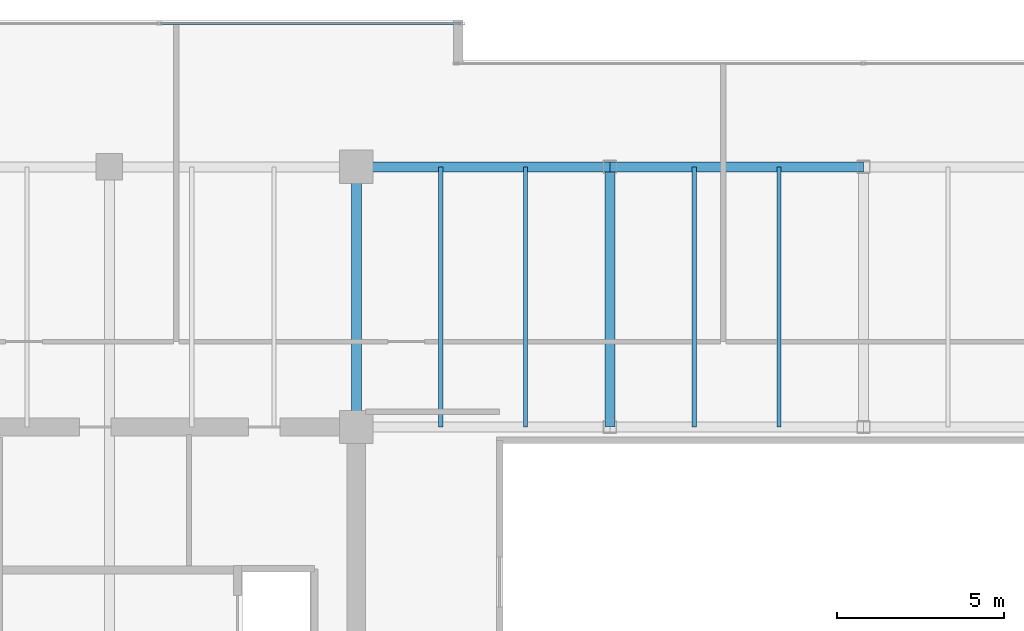
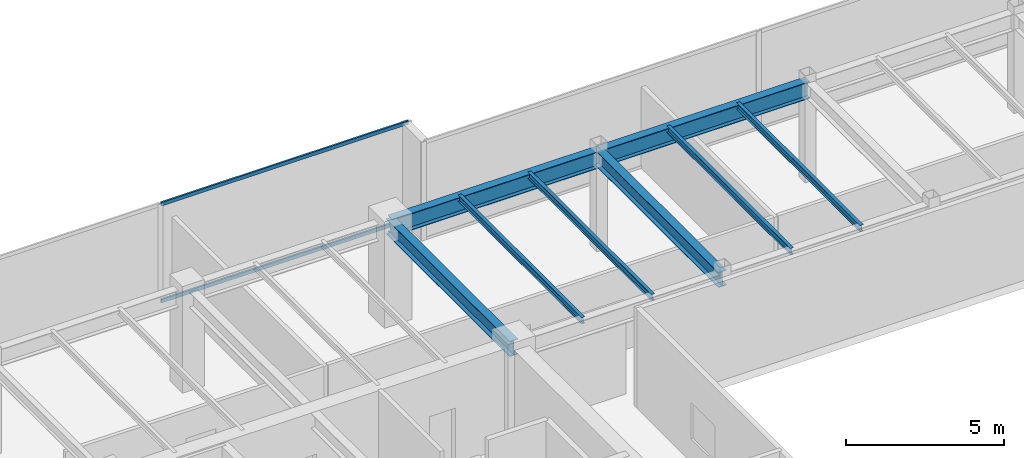
# One storey, part 16 of 33: 8 beams, 2 members, 1 element without a shape of its own.
"""IFC4 building model written with IfcOpenShell, lengths in metres."""

from ifc_helpers import new_model, si_unit, direction, frame, origin, origin_2d, place, context, subcontext, project, spatial, hollow_rectangle, i_section, extrude, source, transform, mapped, material, layer, layer_set, material_profile, profile_set, type_object, type_shapes, element, aggregate, save


model = new_model("IFC4")

# Units and contexts
model_context = context("Model", 3, precision=1e-05, world=origin(), true_north=direction((0.0, 1.0)))
body_context = subcontext(model_context, "Body", "Model", "MODEL_VIEW")
ifc_project = project(units=[si_unit("LENGTHUNIT", "METRE"), si_unit("AREAUNIT", "SQUARE_METRE"), si_unit("VOLUMEUNIT", "CUBIC_METRE"), si_unit("PLANEANGLEUNIT", "RADIAN"), si_unit("MASSUNIT", "GRAM", prefix="KILO")], contexts=[model_context])

# Site, building, storey
site_placement = place(None, origin())
site = spatial("IfcSite", under=ifc_project, at=site_placement, CompositionType="ELEMENT")
building_placement = place(site_placement, origin())
building = spatial("IfcBuilding", under=site, at=building_placement, Name="Haelvirn Gate Laboratories", CompositionType="ELEMENT")
storey_placement = place(building_placement, frame((0.0, 0.0, 250.60009765625)))
storey = spatial("IfcBuildingStorey", under=building, at=storey_placement, Name="L60", CompositionType="ELEMENT", Elevation=250.60009765625)

# Beams
ifc_material_1 = material(Name="Steel SM355", Category="steel")
ifc_material_profile_1 = material_profile(ifc_material_1, i_section(OverallWidth=0.300048828125, OverallDepth=0.587890625, WebThickness=0.011962890625, FlangeThickness=0.02001953125, at=origin_2d()), Name="H-588x300x12x20")
ifc_profile_set_1 = profile_set([ifc_material_profile_1], Name="Steel SM355")
beam_type_1 = type_object("IfcBeamType", Name="BM-G-588", PredefinedType="BEAM", material=ifc_profile_set_1)
shared_shape_1 = source(origin(), body_context, "Body", "SweptSolid", [
    extrude(i_section(OverallWidth=0.300048828125, OverallDepth=0.587890625, WebThickness=0.011962890625, FlangeThickness=0.02001953125, at=origin_2d()), origin(), (0.0, 0.0, 1.0), 7.800048828125),
])
type_shapes(beam_type_1, [shared_shape_1])
for number, where, z_axis, x_axis, name in (
    (1, (22.199951171875, 33.800048828125, 3.505859375), (0.0, 1.0, 0.0), (-1.0, 0.0, 0.0), "L60 Frame Girder X22.2 (33.8-41.6)"),
    (2, (29.800048828125, 33.800048828125, 3.505859375), (0.0, 1.0, 0.0), (-1.0, 0.0, 0.0), "L60 Frame Girder X29.8 (33.8-41.6)"),
):
    element("IfcBeam", number, at=place(storey_placement, frame(where, z_axis=z_axis, x_axis=x_axis)), inside=storey, type_object=beam_type_1, Name=name, PredefinedType="BEAM", context=body_context, shape_type="MappedRepresentation", body=[
        mapped(shared_shape_1, transform((0.0, 0.0, 0.0), scale=1.0)),
    ])
ifc_material_profile_2 = material_profile(ifc_material_1, i_section(OverallWidth=0.300048828125, OverallDepth=0.64990234375, WebThickness=0.012939453125, FlangeThickness=0.02197265625, at=origin_2d()), Name="H-650x300x13x22")
ifc_profile_set_2 = profile_set([ifc_material_profile_2], Name="Steel SM355")
beam_type_2 = type_object("IfcBeamType", Name="BM-G-650", PredefinedType="BEAM", material=ifc_profile_set_2)
shared_shape_2 = source(origin(), body_context, "Body", "SweptSolid", [
    extrude(i_section(OverallWidth=0.300048828125, OverallDepth=0.64990234375, WebThickness=0.012939453125, FlangeThickness=0.02197265625, at=origin_2d()), origin(), (0.0, 0.0, 1.0), 7.60009765625),
])
beam_1_placement = place(storey_placement, frame((22.199951171875, 41.60009765625, 3.474853515625), z_axis=(1.0, 0.0, 0.0), x_axis=(0.0, 1.0, 0.0)))
element("IfcBeam", 3, at=beam_1_placement, inside=storey, type_object=beam_type_2, Name="L60 Primary Girder Y41.6 (22.2-29.8)", PredefinedType="BEAM", context=body_context, shape_type="MappedRepresentation", body=[
    mapped(shared_shape_2, transform((0.0, 0.0, 0.0), scale=1.0)),
])
shared_shape_3 = source(origin(), body_context, "Body", "SweptSolid", [
    extrude(i_section(OverallWidth=0.300048828125, OverallDepth=0.64990234375, WebThickness=0.012939453125, FlangeThickness=0.02197265625, at=origin_2d()), origin(), (0.0, 0.0, 1.0), 7.599853515625),
])
type_shapes(beam_type_2, [shared_shape_2, shared_shape_3])
beam_2_placement = place(storey_placement, frame((29.800048828125, 41.60009765625, 3.474853515625), z_axis=(1.0, 0.0, 0.0), x_axis=(0.0, 1.0, 0.0)))
element("IfcBeam", 4, at=beam_2_placement, inside=storey, type_object=beam_type_2, Name="L60 Primary Girder Y41.6 (29.8-37.4)", PredefinedType="BEAM", context=body_context, shape_type="MappedRepresentation", body=[
    mapped(shared_shape_3, transform((0.0, 0.0, 0.0), scale=1.0)),
])
ifc_material_profile_3 = material_profile(ifc_material_1, i_section(OverallWidth=0.125, OverallDepth=0.25, WebThickness=0.006103515625, FlangeThickness=0.009033203125, at=origin_2d()), Name="H-250x125x6x9")
ifc_profile_set_3 = profile_set([ifc_material_profile_3], Name="Steel SM355")
beam_type_3 = type_object("IfcBeamType", Name="BM-J-250", PredefinedType="JOIST", material=ifc_profile_set_3)
shared_shape_4 = source(origin(), body_context, "Body", "SweptSolid", [
    extrude(i_section(OverallWidth=0.125, OverallDepth=0.25, WebThickness=0.006103515625, FlangeThickness=0.009033203125, at=origin_2d()), origin(), (0.0, 0.0, 1.0), 7.800048828125),
])
type_shapes(beam_type_3, [shared_shape_4])
for number, where, z_axis, x_axis, name in (
    (5, (24.72998046875, 33.800048828125, 3.6748046875), (0.0, 1.0, 0.0), (-1.0, 0.0, 0.0), "L60 Composite Lab Joist North X24.73"),
    (6, (27.27001953125, 33.800048828125, 3.6748046875), (0.0, 1.0, 0.0), (-1.0, 0.0, 0.0), "L60 Composite Lab Joist North X27.27"),
    (7, (32.330078125, 33.800048828125, 3.6748046875), (0.0, 1.0, 0.0), (-1.0, 0.0, 0.0), "L60 Composite Lab Joist North X32.33"),
    (8, (34.8701171875, 33.800048828125, 3.6748046875), (0.0, 1.0, 0.0), (-1.0, 0.0, 0.0), "L60 Composite Lab Joist North X34.87"),
):
    element("IfcBeam", number, at=place(storey_placement, frame(where, z_axis=z_axis, x_axis=x_axis)), inside=storey, type_object=beam_type_3, Name=name, PredefinedType="JOIST", context=body_context, shape_type="MappedRepresentation", body=[
        mapped(shared_shape_4, transform((0.0, 0.0, 0.0), scale=1.0)),
    ])

# Curtain wall, members
ifc_material_2 = material(Name="Anodised bronze unitised aluminium & triple low-E glass", Category="aluminium")
ifc_layer = layer(ifc_material_2, 0.176025390625, Name="CW-SYS-4")
ifc_layer_set = layer_set([ifc_layer], Name="Anodised bronze unitised aluminium & triple low-E glass")
curtain_wall_type = type_object("IfcCurtainWallType", Name="CW-SYS-4", PredefinedType="NOTDEFINED", material=ifc_layer_set)
curtain_wall_placement = place(storey_placement, origin())
curtain_wall = element("IfcCurtainWall", 9, at=curtain_wall_placement, inside=storey, type_object=curtain_wall_type, Name="L60 Unitised Curtain Wall CW-L60-P0-E14-1", PredefinedType="NOTDEFINED")
ifc_material_3 = material(Name="Extruded aluminium 6063-T6 (anodised bronze)", Category="aluminium")
ifc_material_profile_4 = material_profile(ifc_material_3, hollow_rectangle(XDim=0.06494140625, YDim=0.139892578125, WallThickness=0.00390625, at=origin_2d()), Name="CWT-140x65x4")
ifc_profile_set_4 = profile_set([ifc_material_profile_4], Name="Extruded aluminium 6063-T6 (anodised bronze)")
member_type = type_object("IfcMemberType", Name="CWT-T140", PredefinedType="USERDEFINED", material=ifc_profile_set_4)
shared_shape_5 = source(origin(), body_context, "Body", "SweptSolid", [
    extrude(hollow_rectangle(XDim=0.06494140625, YDim=0.139892578125, WallThickness=0.00390625, at=origin_2d()), origin(), (0.0, 0.0, 1.0), 8.9951171875),
])
type_shapes(member_type, [shared_shape_5])
member_1_placement = place(storey_placement, frame((16.3349609375, 45.89990234375, 0.032470703125), z_axis=(1.0, 0.0, 0.0), x_axis=(0.0, 1.0, 0.0)))
member_1 = element("IfcMember", 10, at=member_1_placement, type_object=member_type, Name="CW4 transom 2.1", ObjectType="TRANSOM", PredefinedType="USERDEFINED", context=body_context, shape_type="MappedRepresentation", body=[
    mapped(shared_shape_5, transform((0.0, 0.0, 0.0), scale=1.0)),
])
member_2_placement = place(storey_placement, frame((16.3349609375, 45.89990234375, 3.767333984375), z_axis=(1.0, 0.0, 0.0), x_axis=(0.0, 1.0, 0.0)))
member_2 = element("IfcMember", 11, at=member_2_placement, type_object=member_type, Name="CW4 transom 2.2", ObjectType="TRANSOM", PredefinedType="USERDEFINED", context=body_context, shape_type="MappedRepresentation", body=[
    mapped(shared_shape_5, transform((0.0, 0.0, 0.0), scale=1.0)),
])
aggregate(curtain_wall, [member_1, member_2])

save(model, "model.ifc")
